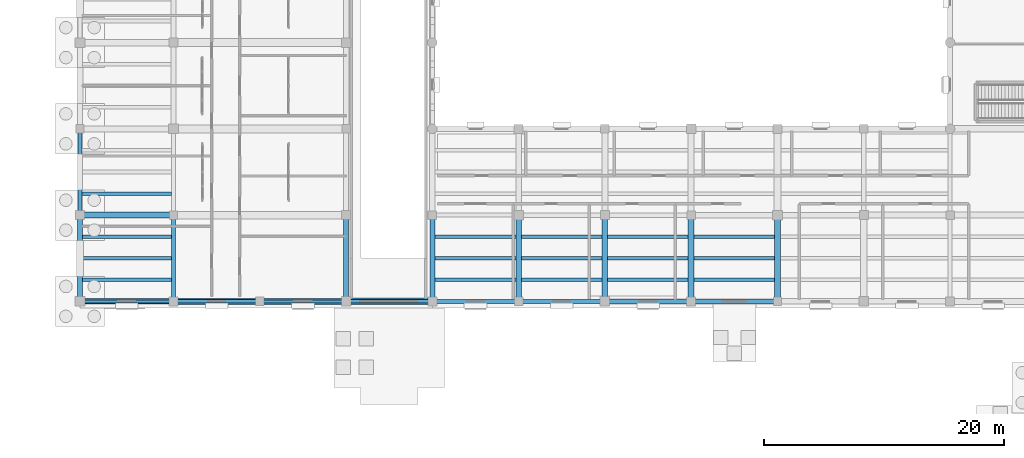
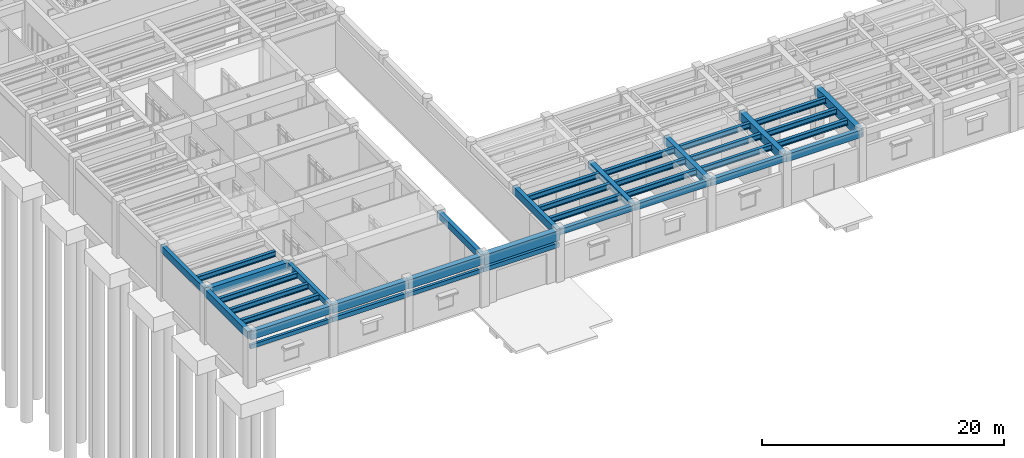
# One storey, part 8 of 100: 38 beams.
"""IFC4 building model written with IfcOpenShell, lengths in metres."""

from ifc_helpers import new_model, si_unit, direction, frame, origin, origin_2d, place, context, subcontext, project, spatial, rectangle, i_section, extrude, material, material_profile, profile_set, type_object, element, save


model = new_model("IFC4")

# Units and contexts
model_context = context("Model", 3, precision=1e-05, world=origin(), true_north=direction((0.0, 1.0)))
body_context = subcontext(model_context, "Body", "Model", "MODEL_VIEW")
ifc_project = project(units=[si_unit("LENGTHUNIT", "METRE"), si_unit("AREAUNIT", "SQUARE_METRE"), si_unit("VOLUMEUNIT", "CUBIC_METRE"), si_unit("PLANEANGLEUNIT", "RADIAN"), si_unit("MASSUNIT", "GRAM", prefix="KILO")], contexts=[model_context])

# Site, building, storey
site_placement = place(None, origin())
site = spatial("IfcSite", under=ifc_project, at=site_placement, CompositionType="ELEMENT")
building_placement = place(site_placement, origin())
building = spatial("IfcBuilding", under=site, at=building_placement, Name="Mithqara Police Headquarters", CompositionType="ELEMENT")
storey_placement = place(building_placement, origin())
storey = spatial("IfcBuildingStorey", under=building, at=storey_placement, Name="L00", CompositionType="ELEMENT", Elevation=0.0)

# Beams
ifc_material_1 = material(Name="Steel S355JR", Category="steel")
ifc_material_profile_1 = material_profile(ifc_material_1, i_section(OverallWidth=0.300048828125, OverallDepth=0.550048828125, WebThickness=0.014892578125, FlangeThickness=0.029052734375, FilletRadius=0.027099609375, at=origin_2d()), Name="HEB 550")
ifc_profile_set_1 = profile_set([ifc_material_profile_1], Name="Steel S355JR")
beam_type_1 = type_object("IfcBeamType", Name="BEAM HEB550", PredefinedType="BEAM", material=ifc_profile_set_1)
for number, where, z_axis, x_axis, name in (
    (1, (0.199951171875, 22.800048828125, 4.844970703125), (1.0, 0.0, 0.0), (0.0, 1.0, 0.0), "L00 Composite Steel Joist 1-2/D.1"),
    (2, (0.199951171875, 24.60009765625, 4.844970703125), (1.0, 0.0, 0.0), (0.0, 1.0, 0.0), "L00 Composite Steel Joist 1-2/D.2"),
    (3, (0.199951171875, 26.39990234375, 4.844970703125), (1.0, 0.0, 0.0), (0.0, 1.0, 0.0), "L00 Composite Steel Joist 1-2/D.3"),
):
    element("IfcBeam", number, at=place(storey_placement, frame(where, z_axis=z_axis, x_axis=x_axis)), inside=storey, type_object=beam_type_1, Name=name, PredefinedType="BEAM", context=body_context, shape_type="SweptSolid", body=[
        extrude(i_section(OverallWidth=0.300048828125, OverallDepth=0.550048828125, WebThickness=0.014892578125, FlangeThickness=0.029052734375, FilletRadius=0.027099609375, at=origin_2d()), origin(), (0.0, 0.0, 1.0), 7.425048828125),
    ])
beam_1_placement = place(storey_placement, frame((0.175048828125, 30.0, 4.844970703125), z_axis=(1.0, 0.0, 0.0), x_axis=(0.0, 1.0, 0.0)))
element("IfcBeam", 4, at=beam_1_placement, inside=storey, type_object=beam_type_1, Name="L00 Composite Steel Joist 1-2/E.1", PredefinedType="BEAM", context=body_context, shape_type="SweptSolid", body=[
    extrude(i_section(OverallWidth=0.300048828125, OverallDepth=0.550048828125, WebThickness=0.014892578125, FlangeThickness=0.029052734375, FilletRadius=0.027099609375, at=origin_2d()), origin(), (0.0, 0.0, 1.0), 7.449951171875),
])
for number, where, z_axis, x_axis, name in (
    (5, (29.60009765625, 22.800048828125, 4.844970703125), (1.0, 0.0, 0.0), (0.0, 1.0, 0.0), "L00 Composite Steel Joist 5-6/D.1"),
    (6, (29.60009765625, 24.60009765625, 4.844970703125), (1.0, 0.0, 0.0), (0.0, 1.0, 0.0), "L00 Composite Steel Joist 5-6/D.2"),
    (7, (29.60009765625, 26.39990234375, 4.844970703125), (1.0, 0.0, 0.0), (0.0, 1.0, 0.0), "L00 Composite Steel Joist 5-6/D.3"),
):
    element("IfcBeam", number, at=place(storey_placement, frame(where, z_axis=z_axis, x_axis=x_axis)), inside=storey, type_object=beam_type_1, Name=name, PredefinedType="BEAM", context=body_context, shape_type="SweptSolid", body=[
        extrude(i_section(OverallWidth=0.300048828125, OverallDepth=0.550048828125, WebThickness=0.014892578125, FlangeThickness=0.029052734375, FilletRadius=0.027099609375, at=origin_2d()), origin(), (0.0, 0.0, 1.0), 6.77490234375),
    ])
for number, where, z_axis, x_axis, name in (
    (8, (36.824951171875, 22.800048828125, 4.844970703125), (1.0, 0.0, 0.0), (0.0, 1.0, 0.0), "L00 Composite Steel Joist 6-7/D.1"),
    (9, (36.824951171875, 24.60009765625, 4.844970703125), (1.0, 0.0, 0.0), (0.0, 1.0, 0.0), "L00 Composite Steel Joist 6-7/D.2"),
    (10, (36.824951171875, 26.39990234375, 4.844970703125), (1.0, 0.0, 0.0), (0.0, 1.0, 0.0), "L00 Composite Steel Joist 6-7/D.3"),
):
    element("IfcBeam", number, at=place(storey_placement, frame(where, z_axis=z_axis, x_axis=x_axis)), inside=storey, type_object=beam_type_1, Name=name, PredefinedType="BEAM", context=body_context, shape_type="SweptSolid", body=[
        extrude(i_section(OverallWidth=0.300048828125, OverallDepth=0.550048828125, WebThickness=0.014892578125, FlangeThickness=0.029052734375, FilletRadius=0.027099609375, at=origin_2d()), origin(), (0.0, 0.0, 1.0), 6.75),
    ])
for number, where, z_axis, x_axis, name in (
    (11, (44.02490234375, 22.800048828125, 4.844970703125), (1.0, 0.0, 0.0), (0.0, 1.0, 0.0), "L00 Composite Steel Joist 7-8/D.1"),
    (12, (44.02490234375, 24.60009765625, 4.844970703125), (1.0, 0.0, 0.0), (0.0, 1.0, 0.0), "L00 Composite Steel Joist 7-8/D.2"),
    (13, (44.02490234375, 26.39990234375, 4.844970703125), (1.0, 0.0, 0.0), (0.0, 1.0, 0.0), "L00 Composite Steel Joist 7-8/D.3"),
):
    element("IfcBeam", number, at=place(storey_placement, frame(where, z_axis=z_axis, x_axis=x_axis)), inside=storey, type_object=beam_type_1, Name=name, PredefinedType="BEAM", context=body_context, shape_type="SweptSolid", body=[
        extrude(i_section(OverallWidth=0.300048828125, OverallDepth=0.550048828125, WebThickness=0.014892578125, FlangeThickness=0.029052734375, FilletRadius=0.027099609375, at=origin_2d()), origin(), (0.0, 0.0, 1.0), 6.72509765625),
    ])
for number, where, z_axis, x_axis, name in (
    (14, (51.25, 22.800048828125, 4.844970703125), (1.0, 0.0, 0.0), (0.0, 1.0, 0.0), "L00 Composite Steel Joist 8-9/D.1"),
    (15, (51.25, 24.60009765625, 4.844970703125), (1.0, 0.0, 0.0), (0.0, 1.0, 0.0), "L00 Composite Steel Joist 8-9/D.2"),
    (16, (51.25, 26.39990234375, 4.844970703125), (1.0, 0.0, 0.0), (0.0, 1.0, 0.0), "L00 Composite Steel Joist 8-9/D.3"),
):
    element("IfcBeam", number, at=place(storey_placement, frame(where, z_axis=z_axis, x_axis=x_axis)), inside=storey, type_object=beam_type_1, Name=name, PredefinedType="BEAM", context=body_context, shape_type="SweptSolid", body=[
        extrude(i_section(OverallWidth=0.300048828125, OverallDepth=0.550048828125, WebThickness=0.014892578125, FlangeThickness=0.029052734375, FilletRadius=0.027099609375, at=origin_2d()), origin(), (0.0, 0.0, 1.0), 6.699951171875),
    ])
ifc_material_2 = material(Name="Concrete C40/50", Category="concrete")
ifc_material_profile_2 = material_profile(ifc_material_2, rectangle(XDim=0.35009765625, YDim=0.550048828125, at=origin_2d()), Name="RC 350x550")
ifc_profile_set_2 = profile_set([ifc_material_profile_2], Name="Concrete C40/50")
beam_type_2 = type_object("IfcBeamType", Name="BEAM RC350X550", PredefinedType="BEAM", material=ifc_profile_set_2)
beam_2_placement = place(storey_placement, frame((7.800048828125, 21.0, 4.844970703125), z_axis=(0.0, 1.0, 0.0), x_axis=(-1.0, 0.0, 0.0)))
element("IfcBeam", 17, at=beam_2_placement, inside=storey, type_object=beam_type_2, Name="L00 Girder 2/D-E", PredefinedType="BEAM", context=body_context, shape_type="SweptSolid", body=[
    extrude(rectangle(XDim=0.35009765625, YDim=0.550048828125, at=origin_2d()), origin(), (0.0, 0.0, 1.0), 7.199951171875),
])
beam_3_placement = place(storey_placement, frame((29.39990234375, 21.0, 4.844970703125), z_axis=(1.0, 0.0, 0.0), x_axis=(0.0, 1.0, 0.0)))
element("IfcBeam", 18, at=beam_3_placement, inside=storey, type_object=beam_type_2, Name="L00 Girder 5-6/D", PredefinedType="BEAM", context=body_context, shape_type="SweptSolid", body=[
    extrude(rectangle(XDim=0.35009765625, YDim=0.550048828125, at=origin_2d()), origin(), (0.0, 0.0, 1.0), 7.2001953125),
])
ifc_material_profile_3 = material_profile(ifc_material_2, rectangle(XDim=0.35009765625, YDim=0.60009765625, at=origin_2d()), Name="RC 350x600")
ifc_profile_set_3 = profile_set([ifc_material_profile_3], Name="Concrete C40/50")
beam_type_3 = type_object("IfcBeamType", Name="BEAM RC350X600", PredefinedType="BEAM", material=ifc_profile_set_3)
beam_4_placement = place(storey_placement, frame((36.60009765625, 21.0, 4.820068359375), z_axis=(1.0, 0.0, 0.0), x_axis=(0.0, 1.0, 0.0)))
element("IfcBeam", 19, at=beam_4_placement, inside=storey, type_object=beam_type_3, Name="L00 Girder 6-7/D", PredefinedType="BEAM", context=body_context, shape_type="SweptSolid", body=[
    extrude(rectangle(XDim=0.35009765625, YDim=0.60009765625, at=origin_2d()), origin(), (0.0, 0.0, 1.0), 7.199951171875),
])
ifc_material_profile_4 = material_profile(ifc_material_2, rectangle(XDim=0.39990234375, YDim=0.64990234375, at=origin_2d()), Name="RC 400x650")
ifc_profile_set_4 = profile_set([ifc_material_profile_4], Name="Concrete C40/50")
beam_type_4 = type_object("IfcBeamType", Name="BEAM RC400X650", PredefinedType="BEAM", material=ifc_profile_set_4)
for number, where, z_axis, x_axis, name in (
    (20, (22.199951171875, 21.0, 4.794921875), (0.0, 1.0, 0.0), (-1.0, 0.0, 0.0), "L00 Girder 4/D-E"),
    (21, (43.800048828125, 21.0, 4.794921875), (1.0, 0.0, 0.0), (0.0, 1.0, 0.0), "L00 Girder 7-8/D"),
):
    element("IfcBeam", number, at=place(storey_placement, frame(where, z_axis=z_axis, x_axis=x_axis)), inside=storey, type_object=beam_type_4, Name=name, PredefinedType="BEAM", context=body_context, shape_type="SweptSolid", body=[
        extrude(rectangle(XDim=0.39990234375, YDim=0.64990234375, at=origin_2d()), origin(), (0.0, 0.0, 1.0), 7.199951171875),
    ])
ifc_material_profile_5 = material_profile(ifc_material_2, rectangle(XDim=0.39990234375, YDim=0.75, at=origin_2d()), Name="RC 400x750")
ifc_profile_set_5 = profile_set([ifc_material_profile_5], Name="Concrete C40/50")
beam_type_5 = type_object("IfcBeamType", Name="BEAM RC400X750", PredefinedType="BEAM", material=ifc_profile_set_5)
for number, where, z_axis, x_axis, name in (
    (22, (29.39990234375, 21.0, 4.7451171875), (0.0, 1.0, 0.0), (-1.0, 0.0, 0.0), "L00 Girder 5/D-E"),
    (23, (51.0, 21.0, 4.7451171875), (1.0, 0.0, 0.0), (0.0, 1.0, 0.0), "L00 Girder 8-9/D"),
):
    element("IfcBeam", number, at=place(storey_placement, frame(where, z_axis=z_axis, x_axis=x_axis)), inside=storey, type_object=beam_type_5, Name=name, PredefinedType="BEAM", context=body_context, shape_type="SweptSolid", body=[
        extrude(rectangle(XDim=0.39990234375, YDim=0.75, at=origin_2d()), origin(), (0.0, 0.0, 1.0), 7.199951171875),
    ])
ifc_material_profile_6 = material_profile(ifc_material_2, rectangle(XDim=0.449951171875, YDim=0.699951171875, at=origin_2d()), Name="RC 450x700")
ifc_profile_set_6 = profile_set([ifc_material_profile_6], Name="Concrete C40/50")
beam_type_6 = type_object("IfcBeamType", Name="BEAM RC450X700", PredefinedType="BEAM", material=ifc_profile_set_6)
beam_5_placement = place(storey_placement, frame((36.60009765625, 21.0, 4.77001953125), z_axis=(0.0, 1.0, 0.0), x_axis=(-1.0, 0.0, 0.0)))
element("IfcBeam", 24, at=beam_5_placement, inside=storey, type_object=beam_type_6, Name="L00 Girder 6/D-E", PredefinedType="BEAM", context=body_context, shape_type="SweptSolid", body=[
    extrude(rectangle(XDim=0.449951171875, YDim=0.699951171875, at=origin_2d()), origin(), (0.0, 0.0, 1.0), 7.199951171875),
])
ifc_material_profile_7 = material_profile(ifc_material_2, rectangle(XDim=0.449951171875, YDim=0.800048828125, at=origin_2d()), Name="RC 450x800")
ifc_profile_set_7 = profile_set([ifc_material_profile_7], Name="Concrete C40/50")
beam_type_7 = type_object("IfcBeamType", Name="BEAM RC450X800", PredefinedType="BEAM", material=ifc_profile_set_7)
beam_6_placement = place(storey_placement, frame((0.0, 21.0, 4.719970703125), z_axis=(1.0, 0.0, 0.0), x_axis=(0.0, 1.0, 0.0)))
element("IfcBeam", 25, at=beam_6_placement, inside=storey, type_object=beam_type_7, Name="L00 Girder 1-2/D", PredefinedType="BEAM", context=body_context, shape_type="SweptSolid", body=[
    extrude(rectangle(XDim=0.449951171875, YDim=0.800048828125, at=origin_2d()), origin(), (0.0, 0.0, 1.0), 7.800048828125),
])
beam_7_placement = place(storey_placement, frame((43.800048828125, 21.0, 4.719970703125), z_axis=(0.0, 1.0, 0.0), x_axis=(-1.0, 0.0, 0.0)))
element("IfcBeam", 26, at=beam_7_placement, inside=storey, type_object=beam_type_7, Name="L00 Girder 7/D-E", PredefinedType="BEAM", context=body_context, shape_type="SweptSolid", body=[
    extrude(rectangle(XDim=0.449951171875, YDim=0.800048828125, at=origin_2d()), origin(), (0.0, 0.0, 1.0), 7.199951171875),
])
ifc_material_profile_8 = material_profile(ifc_material_2, rectangle(XDim=0.5, YDim=0.85009765625, at=origin_2d()), Name="RC 500x850")
ifc_profile_set_8 = profile_set([ifc_material_profile_8], Name="Concrete C40/50")
beam_type_8 = type_object("IfcBeamType", Name="BEAM RC500X850", PredefinedType="BEAM", material=ifc_profile_set_8)
beam_8_placement = place(storey_placement, frame((0.0, 28.199951171875, 4.695068359375), z_axis=(1.0, 0.0, 0.0), x_axis=(0.0, 1.0, 0.0)))
element("IfcBeam", 27, at=beam_8_placement, inside=storey, type_object=beam_type_8, Name="L00 Girder 1-2/E", PredefinedType="BEAM", context=body_context, shape_type="SweptSolid", body=[
    extrude(rectangle(XDim=0.5, YDim=0.85009765625, at=origin_2d()), origin(), (0.0, 0.0, 1.0), 7.800048828125),
])
for number, where, z_axis, x_axis, name in (
    (28, (7.800048828125, 21.0, 4.695068359375), (1.0, 0.0, 0.0), (0.0, 1.0, 0.0), "L00 Girder 2-3/D"),
    (29, (51.0, 21.0, 4.695068359375), (0.0, 1.0, 0.0), (-1.0, 0.0, 0.0), "L00 Girder 8/D-E"),
):
    element("IfcBeam", number, at=place(storey_placement, frame(where, z_axis=z_axis, x_axis=x_axis)), inside=storey, type_object=beam_type_8, Name=name, PredefinedType="BEAM", context=body_context, shape_type="SweptSolid", body=[
        extrude(rectangle(XDim=0.5, YDim=0.85009765625, at=origin_2d()), origin(), (0.0, 0.0, 1.0), 7.199951171875),
    ])
ifc_material_3 = material(Name="Concrete C50/60", Category="concrete")
ifc_material_profile_9 = material_profile(ifc_material_3, rectangle(XDim=0.5, YDim=0.89990234375, at=origin_2d()), Name="RC 500x900")
ifc_profile_set_9 = profile_set([ifc_material_profile_9], Name="Concrete C50/60")
beam_type_9 = type_object("IfcBeamType", Name="BEAM RC500X900", PredefinedType="BEAM", material=ifc_profile_set_9)
for number, where, z_axis, x_axis, name in (
    (30, (15.0, 21.0, 4.669921875), (1.0, 0.0, 0.0), (0.0, 1.0, 0.0), "L00 Girder 3-4/D"),
    (31, (58.199951171875, 21.0, 4.669921875), (0.0, 1.0, 0.0), (-1.0, 0.0, 0.0), "L00 Girder 9/D-E"),
):
    element("IfcBeam", number, at=place(storey_placement, frame(where, z_axis=z_axis, x_axis=x_axis)), inside=storey, type_object=beam_type_9, Name=name, PredefinedType="BEAM", context=body_context, shape_type="SweptSolid", body=[
        extrude(rectangle(XDim=0.5, YDim=0.89990234375, at=origin_2d()), origin(), (0.0, 0.0, 1.0), 7.199951171875),
    ])
ifc_material_profile_10 = material_profile(ifc_material_3, rectangle(XDim=0.550048828125, YDim=1.0, at=origin_2d()), Name="RC 550x1000")
ifc_profile_set_10 = profile_set([ifc_material_profile_10], Name="Concrete C50/60")
beam_type_10 = type_object("IfcBeamType", Name="BEAM RC550X1000", PredefinedType="BEAM", material=ifc_profile_set_10)
beam_9_placement = place(storey_placement, frame((22.199951171875, 21.0, 4.6201171875), z_axis=(1.0, 0.0, 0.0), x_axis=(0.0, 1.0, 0.0)))
element("IfcBeam", 32, at=beam_9_placement, inside=storey, type_object=beam_type_10, Name="L00 Girder 4-5/D", PredefinedType="BEAM", context=body_context, shape_type="SweptSolid", body=[
    extrude(rectangle(XDim=0.550048828125, YDim=1.0, at=origin_2d()), origin(), (0.0, 0.0, 1.0), 7.199951171875),
])
ifc_material_4 = material(Name="Precast concrete C40/50", Category="concrete")
ifc_material_profile_11 = material_profile(ifc_material_4, rectangle(XDim=0.25, YDim=0.39990234375, at=origin_2d()), Name="LIN 250x400")
ifc_profile_set_11 = profile_set([ifc_material_profile_11], Name="Precast concrete C40/50")
beam_type_11 = type_object("IfcBeamType", Name="LINTEL 250X400", PredefinedType="LINTEL", material=ifc_profile_set_11)
beam_10_placement = place(storey_placement, frame((0.0, 21.0, 3.550048828125), z_axis=(1.0, 0.0, 0.0), x_axis=(0.0, 1.0, 0.0)))
element("IfcBeam", 33, at=beam_10_placement, inside=storey, type_object=beam_type_11, Name="L00 Window Bay Lintel 1", PredefinedType="LINTEL", context=body_context, shape_type="SweptSolid", body=[
    extrude(rectangle(XDim=0.25, YDim=0.39990234375, at=origin_2d()), origin(), (0.0, 0.0, 1.0), 7.800048828125),
])
beam_11_placement = place(storey_placement, frame((15.0, 21.0, 3.550048828125), z_axis=(1.0, 0.0, 0.0), x_axis=(0.0, 1.0, 0.0)))
element("IfcBeam", 34, at=beam_11_placement, inside=storey, type_object=beam_type_11, Name="L00 Window Bay Lintel 3", PredefinedType="LINTEL", context=body_context, shape_type="SweptSolid", body=[
    extrude(rectangle(XDim=0.25, YDim=0.39990234375, at=origin_2d()), origin(), (0.0, 0.0, 1.0), 7.199951171875),
])
ifc_material_profile_12 = material_profile(ifc_material_4, rectangle(XDim=0.300048828125, YDim=0.449951171875, at=origin_2d()), Name="LIN 300x450")
ifc_profile_set_12 = profile_set([ifc_material_profile_12], Name="Precast concrete C40/50")
beam_type_12 = type_object("IfcBeamType", Name="LINTEL 300X450", PredefinedType="LINTEL", material=ifc_profile_set_12)
for number, where, z_axis, x_axis, name in (
    (35, (7.800048828125, 21.0, 3.574951171875), (1.0, 0.0, 0.0), (0.0, 1.0, 0.0), "L00 Window Bay Lintel 2"),
    (36, (22.199951171875, 21.0, 3.574951171875), (1.0, 0.0, 0.0), (0.0, 1.0, 0.0), "L00 Window Bay Lintel 4"),
):
    element("IfcBeam", number, at=place(storey_placement, frame(where, z_axis=z_axis, x_axis=x_axis)), inside=storey, type_object=beam_type_12, Name=name, PredefinedType="LINTEL", context=body_context, shape_type="SweptSolid", body=[
        extrude(rectangle(XDim=0.300048828125, YDim=0.449951171875, at=origin_2d()), origin(), (0.0, 0.0, 1.0), 7.199951171875),
    ])
ifc_material_profile_13 = material_profile(ifc_material_2, rectangle(XDim=0.35009765625, YDim=0.699951171875, at=origin_2d()), Name="SPB 350x700")
ifc_profile_set_13 = profile_set([ifc_material_profile_13], Name="Concrete C40/50")
beam_type_13 = type_object("IfcBeamType", Name="SPANDREL 350X700", PredefinedType="SPANDREL", material=ifc_profile_set_13)
beam_12_placement = place(storey_placement, frame((0.0, 28.199951171875, 4.77001953125), z_axis=(0.0, 1.0, 0.0), x_axis=(-1.0, 0.0, 0.0)))
element("IfcBeam", 37, at=beam_12_placement, inside=storey, type_object=beam_type_13, Name="L00 Girder 1/E-F", PredefinedType="SPANDREL", context=body_context, shape_type="SweptSolid", body=[
    extrude(rectangle(XDim=0.35009765625, YDim=0.699951171875, at=origin_2d()), origin(), (0.0, 0.0, 1.0), 7.199951171875),
])
ifc_material_profile_14 = material_profile(ifc_material_2, rectangle(XDim=0.39990234375, YDim=0.75, at=origin_2d()), Name="SPB 400x750")
ifc_profile_set_14 = profile_set([ifc_material_profile_14], Name="Concrete C40/50")
beam_type_14 = type_object("IfcBeamType", Name="SPANDREL 400X750", PredefinedType="SPANDREL", material=ifc_profile_set_14)
beam_13_placement = place(storey_placement, frame((0.0, 21.0, 4.7451171875), z_axis=(0.0, 1.0, 0.0), x_axis=(-1.0, 0.0, 0.0)))
element("IfcBeam", 38, at=beam_13_placement, inside=storey, type_object=beam_type_14, Name="L00 Girder 1/D-E", PredefinedType="SPANDREL", context=body_context, shape_type="SweptSolid", body=[
    extrude(rectangle(XDim=0.39990234375, YDim=0.75, at=origin_2d()), origin(), (0.0, 0.0, 1.0), 7.199951171875),
])

save(model, "model.ifc")
